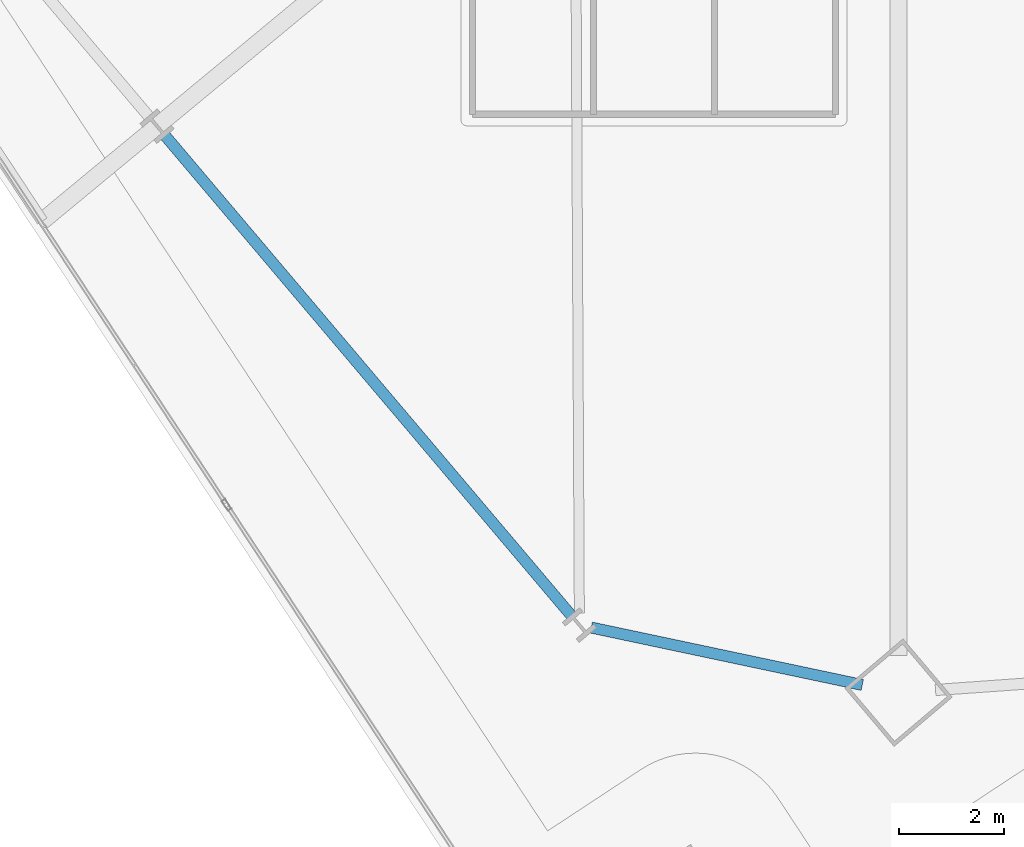
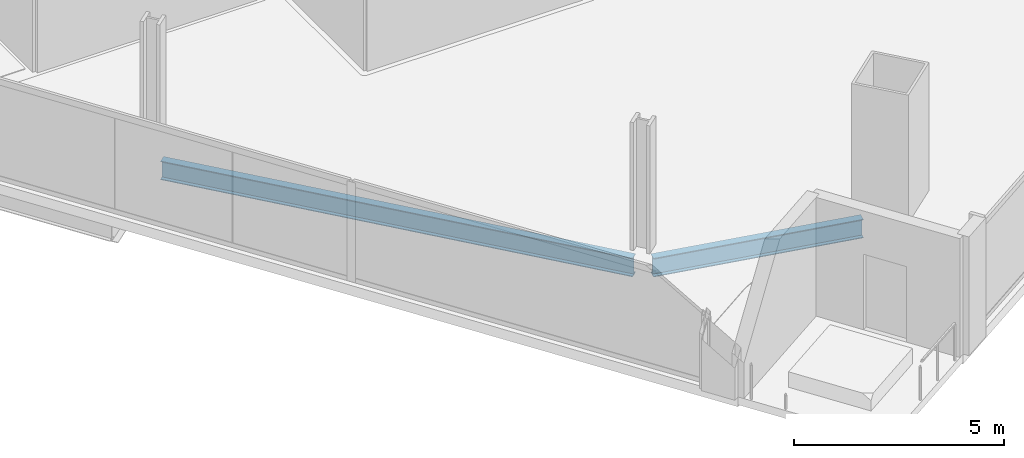
# One storey, part 3 of 29: 2 beams.
"""IFC4 building model written with IfcOpenShell, lengths in metres."""

from ifc_helpers import new_model, si_unit, direction, frame, origin, origin_2d, place, context, subcontext, project, spatial, i_section, extrude, material, material_profile, profile_set, type_object, element, save


model = new_model("IFC4")

# Units and contexts
model_context = context("Model", 3, precision=1e-05, world=origin(), true_north=direction((0.0, 1.0)))
body_context = subcontext(model_context, "Body", "Model", "MODEL_VIEW")
ifc_project = project(units=[si_unit("LENGTHUNIT", "METRE"), si_unit("AREAUNIT", "SQUARE_METRE"), si_unit("VOLUMEUNIT", "CUBIC_METRE"), si_unit("PLANEANGLEUNIT", "RADIAN"), si_unit("MASSUNIT", "GRAM", prefix="KILO")], contexts=[model_context])

# Site, building, storey
site_placement = place(None, origin())
site = spatial("IfcSite", under=ifc_project, at=site_placement, CompositionType="ELEMENT")
building_placement = place(site_placement, origin())
building = spatial("IfcBuilding", under=site, at=building_placement, Name="Haldenkirk Collegiate Tower", CompositionType="ELEMENT")
storey_placement = place(building_placement, frame((0.0, 0.0, 140.699951171875)))
storey = spatial("IfcBuildingStorey", under=building, at=storey_placement, Name="L34", CompositionType="ELEMENT", Elevation=140.699951171875)

# Beams
ifc_material = material(Name="Steel ASTM A992 Grade 50", Category="steel")
ifc_material_profile = material_profile(ifc_material, i_section(OverallWidth=0.2119140625, OverallDepth=0.5439453125, WebThickness=0.01318359375, FlangeThickness=0.021240234375, at=origin_2d()), Name="W21X83")
ifc_profile_set = profile_set([ifc_material_profile], Name="Steel ASTM A992 Grade 50")
beam_type = type_object("IfcBeamType", Name="BM-SPANDREL-W21X83", PredefinedType="SPANDREL", material=ifc_profile_set)
beam_1_placement = place(storey_placement, frame((19.202880859375, 11.250732421875, -0.56201171875), z_axis=(0.646115074743, -0.763240008248, 0.0), x_axis=(0.763240008248, 0.646115074743, 0.0)))
element("IfcBeam", 1, at=beam_1_placement, inside=storey, type_object=beam_type, Name="L34 perimeter spandrel beam 15", PredefinedType="SPANDREL", context=body_context, shape_type="SweptSolid", body=[
    extrude(i_section(OverallWidth=0.2119140625, OverallDepth=0.5439453125, WebThickness=0.01318359375, FlangeThickness=0.021240234375, at=origin_2d()), origin(), (0.0, 0.0, 1.0), 11.966796875),
])
beam_2_placement = place(storey_placement, frame((27.306884765625, 1.89501953125, -0.56201171875), z_axis=(0.978307627668, -0.207157393416, 0.0), x_axis=(0.207157393416, 0.978307627668, 0.0)))
element("IfcBeam", 2, at=beam_2_placement, inside=storey, type_object=beam_type, Name="L34 perimeter spandrel beam 16", PredefinedType="SPANDREL", context=body_context, shape_type="SweptSolid", body=[
    extrude(i_section(OverallWidth=0.2119140625, OverallDepth=0.5439453125, WebThickness=0.01318359375, FlangeThickness=0.021240234375, at=origin_2d()), origin(), (0.0, 0.0, 1.0), 5.266845703125),
])

save(model, "model.ifc")
